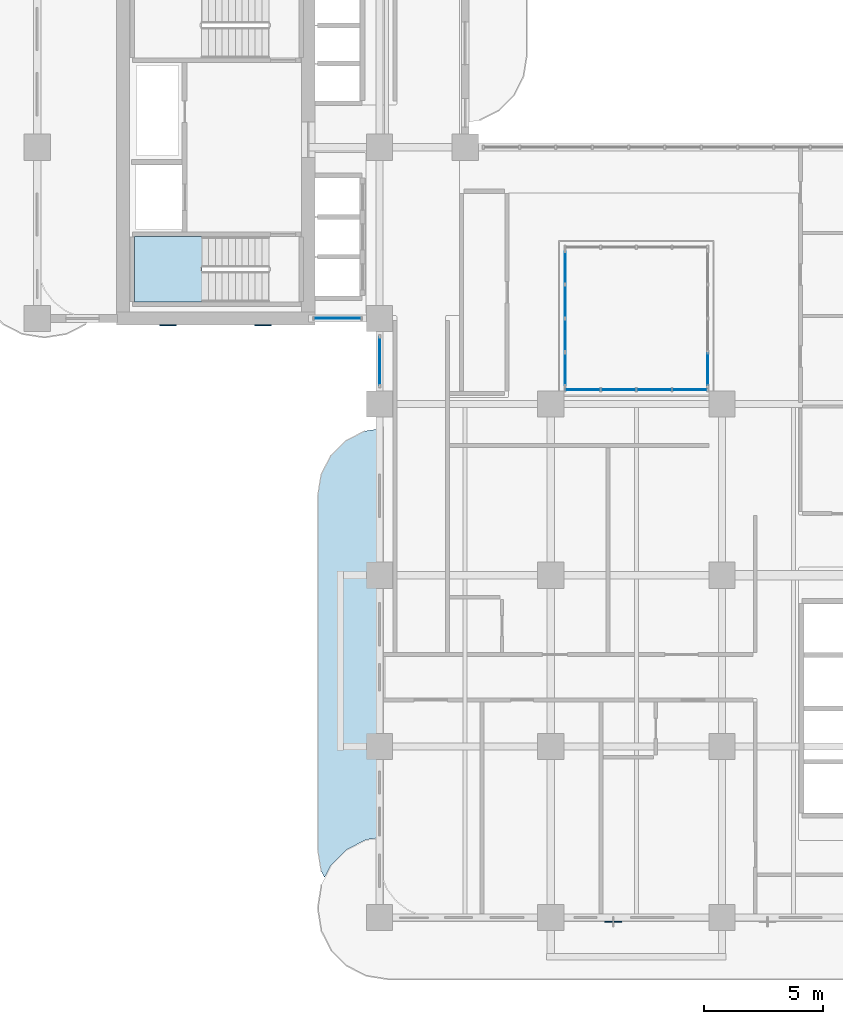
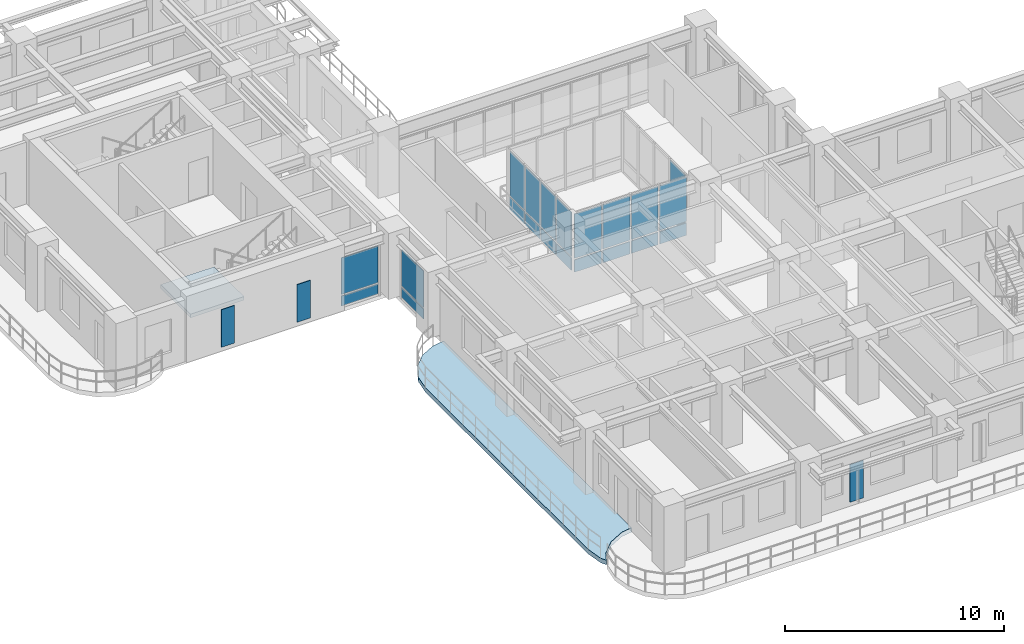
# One storey, part 8 of 22: 25 plates, 2 slabs, 6 elements without a shape of their own.
"""IFC4 building model written with IfcOpenShell, lengths in metres."""

import ifcopenshell
import ifcopenshell.guid

model = None  # the IFC model being written
_history = None  # IfcOwnerHistory: only IFC2X3 demands one
_inside = {}  # id of a spatial element -> (the spatial element, [elements in it])
_under = {}  # id of a project, library or spatial element -> (it, [spatial elements below it])
_declared = {}  # id of a project -> (the project, [libraries it declares])
_typed = {}  # id of a type object -> (the type object, [elements of that type])
_made_of = {}  # id of a material, layer set ... -> (it, [elements and type objects made of it])


def new_model(schema):
    """Start an empty IFC model of exactly this schema.

    Asked for "IFC4X3", IfcOpenShell would pick the latest addendum, in which some entities
    have other attributes; the version numbers below select the first issue.
    IFC2X3 requires an IfcOwnerHistory on every rooted entity: one is made here for all.
    """
    global model, _history
    if schema == "IFC4X3":
        model = ifcopenshell.file(schema_version=(4, 3, 0, 0))
    else:
        model = ifcopenshell.file(schema=schema)
    _inside.clear()
    _under.clear()
    _declared.clear()
    _typed.clear()
    _made_of.clear()
    _history = None
    if model.schema == "IFC2X3":
        org = make("IfcOrganization", Name="unknown")
        user = make(
            "IfcPersonAndOrganization",
            ThePerson=make("IfcPerson", FamilyName="unknown"),
            TheOrganization=org,
        )
        app = make(
            "IfcApplication",
            ApplicationDeveloper=org,
            Version="unknown",
            ApplicationFullName="unknown",
            ApplicationIdentifier="unknown",
        )
        _history = make(
            "IfcOwnerHistory",
            OwningUser=user,
            OwningApplication=app,
            ChangeAction="ADDED",
            CreationDate=0,
        )
    return model


def make(cls, **values):
    """One entity of the class cls with the attributes given. An attribute that is None is left unset."""
    return model.create_entity(
        cls, **{name: value for name, value in values.items() if value is not None}
    )


def rooted(cls, **values):
    """An entity with a GlobalId (a new one), such as an element, a storey or a relation."""
    return make(cls, GlobalId=ifcopenshell.guid.new(), OwnerHistory=_history, **values)


def si_unit(unit_type, name, prefix=None):
    """IfcSIUnit, for example si_unit("LENGTHUNIT", "METRE", prefix="MILLI")."""
    return make("IfcSIUnit", UnitType=unit_type, Prefix=prefix, Name=name)


def derived_unit(unit_type, elements):
    """IfcDerivedUnit: a product of units, each with its exponent."""
    return make(
        "IfcDerivedUnit",
        Elements=[
            make("IfcDerivedUnitElement", Unit=unit, Exponent=power)
            for unit, power in elements
        ],
        UnitType=unit_type,
    )


def assignment(units):
    """IfcUnitAssignment: the units of a project."""
    return None if units is None else make("IfcUnitAssignment", Units=units)


def point(xyz):
    """IfcCartesianPoint."""
    return None if xyz is None else make("IfcCartesianPoint", Coordinates=xyz)


def direction(xyz):
    """IfcDirection."""
    return None if xyz is None else make("IfcDirection", DirectionRatios=xyz)


def frame(location, z_axis=None, x_axis=None):
    """IfcAxis2Placement3D, a coordinate frame: its origin and axes. An axis left out is left unset."""
    return make(
        "IfcAxis2Placement3D",
        Location=point(location),
        Axis=direction(z_axis),
        RefDirection=direction(x_axis),
    )


def frame_2d(location, x_axis=None):
    """IfcAxis2Placement2D, a coordinate frame in the plane: its origin and x axis."""
    return make(
        "IfcAxis2Placement2D", Location=point(location), RefDirection=direction(x_axis)
    )


def origin():
    """The frame at (0, 0, 0) with its axes left unset."""
    return frame((0.0, 0.0, 0.0))


def origin_2d():
    """The frame at (0, 0) in the plane with its x axis left unset."""
    return frame_2d((0.0, 0.0))


def place(relative_to, where):
    """IfcLocalPlacement: puts the frame where relative to a parent placement (None: the world)."""
    return make(
        "IfcLocalPlacement", PlacementRelTo=relative_to, RelativePlacement=where
    )


def context(
    kind, dimensions, precision=None, world=None, true_north=None, identifier=None
):
    """IfcGeometricRepresentationContext, for example the 3D "Model" context."""
    return make(
        "IfcGeometricRepresentationContext",
        ContextIdentifier=identifier,
        ContextType=kind,
        CoordinateSpaceDimension=dimensions,
        Precision=precision,
        WorldCoordinateSystem=world,
        TrueNorth=true_north,
    )


def subcontext(parent, identifier, kind, view, scale=None):
    """IfcGeometricRepresentationSubContext, for example "Body" below "Model"."""
    return make(
        "IfcGeometricRepresentationSubContext",
        ContextIdentifier=identifier,
        ContextType=kind,
        ParentContext=parent,
        TargetScale=scale,
        TargetView=view,
    )


def project(units=None, contexts=None):
    """IfcProject with its units and contexts."""
    return rooted(
        "IfcProject",
        Name="project",
        RepresentationContexts=contexts,
        UnitsInContext=assignment(units),
    )


def spatial(cls, under=None, at=None, **own):
    """A site, building, storey or space (cls), placed at a placement, below another one or the project."""
    s = rooted(cls, ObjectPlacement=at, **own)
    if under is not None:
        _under.setdefault(under.id(), (under, []))[1].append(s)
    return s


def polyline(points):
    """IfcPolyline through the points."""
    return make("IfcPolyline", Points=[point(p) for p in points])


def profile(cls, at=None, kind="AREA", **sizes):
    """A parametric profile (cls). Its sizes go by their IFC names, for example OverallWidth=200.0."""
    return make(cls, ProfileType=kind, Position=at, **sizes)


def rectangle(**sizes):
    """IfcRectangleProfileDef."""
    return profile("IfcRectangleProfileDef", **sizes)


def outline(outer, holes=None, kind="AREA"):
    """IfcArbitraryClosedProfileDef: a profile drawn as a closed curve; with holes, ...WithVoids."""
    if holes is None:
        return make("IfcArbitraryClosedProfileDef", ProfileType=kind, OuterCurve=outer)
    return make(
        "IfcArbitraryProfileDefWithVoids",
        ProfileType=kind,
        OuterCurve=outer,
        InnerCurves=holes,
    )


def extrude(swept, where, along, depth):
    """IfcExtrudedAreaSolid: the profile swept, set in the frame where, extruded along a direction by depth."""
    return make(
        "IfcExtrudedAreaSolid",
        SweptArea=swept,
        Position=where,
        ExtrudedDirection=direction(along),
        Depth=depth,
    )


def shape(context_of_items, identifier, shape_type, items):
    """IfcShapeRepresentation: the items that make up one representation, for example the "Body"."""
    return make(
        "IfcShapeRepresentation",
        ContextOfItems=context_of_items,
        RepresentationIdentifier=identifier,
        RepresentationType=shape_type,
        Items=items,
    )


def source(mapping_origin, context_of_items, identifier, shape_type, items):
    """IfcRepresentationMap: a shape defined once, which mapped items show again and again."""
    return make(
        "IfcRepresentationMap",
        MappingOrigin=mapping_origin,
        MappedRepresentation=shape(context_of_items, identifier, shape_type, items),
    )


def transform(
    local_origin,
    x_axis=None,
    y_axis=None,
    z_axis=None,
    scale=None,
    scale2=None,
    scale3=None,
    uniform=True,
):
    """IfcCartesianTransformationOperator3D, or its non-uniform kind. x_axis, y_axis, z_axis: its Axis1, 2, 3."""
    if uniform:
        return make(
            "IfcCartesianTransformationOperator3D",
            Axis1=direction(x_axis),
            Axis2=direction(y_axis),
            LocalOrigin=point(local_origin),
            Scale=scale,
            Axis3=direction(z_axis),
        )
    return make(
        "IfcCartesianTransformationOperator3DnonUniform",
        Axis1=direction(x_axis),
        Axis2=direction(y_axis),
        LocalOrigin=point(local_origin),
        Scale=scale,
        Axis3=direction(z_axis),
        Scale2=scale2,
        Scale3=scale3,
    )


def mapped(mapping_source, mapping_target):
    """IfcMappedItem: shows the shape of a source again, moved by a transform."""
    return make(
        "IfcMappedItem", MappingSource=mapping_source, MappingTarget=mapping_target
    )


def material(Name=None, Category=None):
    """IfcMaterial."""
    return make("IfcMaterial", Name=Name, Category=Category)


def layer(
    of_material, thickness, ventilated=None, Name=None, Category=None, Priority=None
):
    """IfcMaterialLayer: one layer of a wall or slab, of a material (None: an air gap)."""
    return make(
        "IfcMaterialLayer",
        Material=of_material,
        LayerThickness=thickness,
        IsVentilated=ventilated,
        Name=Name,
        Category=Category,
        Priority=Priority,
    )


def layer_set(layers, Name=None):
    """IfcMaterialLayerSet."""
    return make("IfcMaterialLayerSet", MaterialLayers=layers, LayerSetName=Name)


def made_of(thing, what):
    """Note that an element or type object is made of a material, layer set ...; save() writes the relation."""
    if what is not None:
        _made_of.setdefault(what.id(), (what, []))[1].append(thing)
    return thing


def type_object(cls, material=None, **own):
    """A type object (cls), such as IfcWallType, which elements share."""
    return made_of(rooted(cls, **own), material)


def type_shapes(of_type, sources):
    """Give a type object the sources (RepresentationMaps) that its elements show as mapped items."""
    of_type.RepresentationMaps = sources


def element(
    cls,
    number,
    at=None,
    inside=None,
    cuts=None,
    type_object=None,
    material=None,
    context=None,
    identifier="Body",
    shape_type=None,
    held_by="IfcProductDefinitionShape",
    body=None,
    shapes=None,
    **own,
):
    """One element of the class cls, such as IfcWall. Its Tag is "e" and its number.

    at: its placement. inside: the storey or other place that contains it. cuts: it is an
    opening in that element (IfcRelVoidsElement). A single representation is given by context,
    identifier, shape_type and body (its items); several are given by shapes. held_by: the class
    of the entity that holds the representations. save() writes the other relations.
    """
    e = rooted(cls, Tag="e%d" % number, ObjectPlacement=at, **own)
    if body is not None:
        shapes = [shape(context, identifier, shape_type, body)]
    if shapes is not None:
        e.Representation = make(held_by, Representations=shapes)
    if inside is not None:
        _inside.setdefault(inside.id(), (inside, []))[1].append(e)
    if cuts is not None:
        rooted(
            "IfcRelVoidsElement", RelatingBuildingElement=cuts, RelatedOpeningElement=e
        )
    if type_object is not None:
        _typed.setdefault(type_object.id(), (type_object, []))[1].append(e)
    return made_of(e, material)


def aggregate(whole, parts):
    """IfcRelAggregates: a whole, such as a stair, and the parts it consists of."""
    return rooted("IfcRelAggregates", RelatingObject=whole, RelatedObjects=parts)


def save(model, path):
    """Write the relations noted so far, then the file.

    IfcRelAggregates (storeys below a building ...), IfcRelContainedInSpatialStructure (elements
    in a storey), IfcRelDefinesByType, IfcRelAssociatesMaterial and IfcRelDeclares: one each for
    every whole, place, type object, material and project.
    """
    for whole, parts in _under.values():
        aggregate(whole, parts)
    for where, things in _inside.values():
        rooted(
            "IfcRelContainedInSpatialStructure",
            RelatedElements=things,
            RelatingStructure=where,
        )
    for kind, things in _typed.values():
        rooted("IfcRelDefinesByType", RelatedObjects=things, RelatingType=kind)
    for what, things in _made_of.values():
        rooted("IfcRelAssociatesMaterial", RelatedObjects=things, RelatingMaterial=what)
    for by, libraries in _declared.values():
        rooted("IfcRelDeclares", RelatingContext=by, RelatedDefinitions=libraries)
    model.write(path)


model = new_model("IFC4")

# Units and contexts
model_context = context("Model", 3, precision=1e-05, world=origin(), true_north=direction((0.0, 1.0)))
body_context = subcontext(model_context, "Body", "Model", "MODEL_VIEW")
ifc_project = project(units=[si_unit("LENGTHUNIT", "METRE"), si_unit("AREAUNIT", "SQUARE_METRE"), si_unit("VOLUMEUNIT", "CUBIC_METRE"), si_unit("PLANEANGLEUNIT", "RADIAN"), si_unit("MASSUNIT", "GRAM", prefix="KILO"), si_unit("THERMODYNAMICTEMPERATUREUNIT", "KELVIN"), si_unit("POWERUNIT", "WATT"), derived_unit("THERMALTRANSMITTANCEUNIT", [(si_unit("POWERUNIT", "WATT"), 1), (si_unit("AREAUNIT", "SQUARE_METRE"), -1), (si_unit("THERMODYNAMICTEMPERATUREUNIT", "KELVIN"), -1)])], contexts=[model_context])

# Site, building, storey
site_placement = place(None, origin())
site = spatial("IfcSite", under=ifc_project, at=site_placement, CompositionType="ELEMENT")
building_placement = place(site_placement, origin())
building = spatial("IfcBuilding", under=site, at=building_placement, Name="Zahravan Archway Hotel and Residences", CompositionType="ELEMENT")
storey_placement = place(building_placement, frame((0.0, 0.0, 99.0)))
storey = spatial("IfcBuildingStorey", under=building, at=storey_placement, Name="L24", CompositionType="ELEMENT", Elevation=99.0)

# Slab
ifc_material_1 = material(Name="Concrete C45/55", Category="concrete")
ifc_layer_1 = layer(ifc_material_1, 0.25, Name="Concrete C45/55", Category="concrete")
ifc_layer_set_1 = layer_set([ifc_layer_1], Name="Concrete C45/55")
slab_type_1 = type_object("IfcSlabType", Name="SLB-BALC-250", PredefinedType="FLOOR", material=ifc_layer_set_1)
slab_1_placement = place(storey_placement, frame((0.0, 0.0, -0.25)))
element("IfcSlab", 1, at=slab_1_placement, inside=storey, type_object=slab_type_1, Name="L24 Wing A West Rounded Balcony Band", PredefinedType="FLOOR", context=body_context, shape_type="SweptSolid", body=[
    extrude(outline(polyline([(11.939453125, 1.96923828125), (11.800048828125, 2.85009765625), (11.800048828125, 17.75), (11.939453125, 18.630615234375), (12.34423828125, 19.42529296875), (12.974853515625, 20.0556640625), (13.769287109375, 20.46044921875), (14.3798828125, 20.55712890625), (14.3798828125, 3.361328125), (14.37890625, 3.361328125), (14.376953125, 3.361083984375), (13.835205078125, 3.275390625), (13.833251953125, 3.27490234375), (13.831298828125, 3.2744140625), (13.829345703125, 3.2734375), (13.0068359375, 2.8544921875), (13.005126953125, 2.853515625), (13.00341796875, 2.85205078125), (13.001953125, 2.8505859375), (12.349365234375, 2.197998046875), (12.347900390625, 2.196533203125), (12.3466796875, 2.19482421875), (12.345703125, 2.193115234375), (12.08544921875, 1.6826171875), (11.939453125, 1.96923828125)])), origin(), (0.0, 0.0, 1.0), 0.25),
])

# Stair, slab
ifc_material_2 = material(Name="Concrete C50/60", Category="concrete")
stair_type = type_object("IfcStairType", Name="STR-CORE-1300", PredefinedType="HALF_TURN_STAIR", material=ifc_material_2)
stair_placement = place(storey_placement, origin())
stair = element("IfcStair", 2, at=stair_placement, inside=storey, type_object=stair_type, Name="L24 Core B Exit Stair 1", PredefinedType="HALF_TURN_STAIR")
ifc_layer_2 = layer(ifc_material_2, 0.199951171875, Name="Concrete C50/60", Category="concrete")
ifc_layer_set_2 = layer_set([ifc_layer_2], Name="Concrete C50/60")
slab_type_2 = type_object("IfcSlabType", Name="SLB-LND-200", PredefinedType="LANDING", material=ifc_layer_set_2)
slab_2_placement = place(storey_placement, frame((0.0, 0.0, 1.64990234375)))
slab_2 = element("IfcSlab", 3, at=slab_2_placement, type_object=slab_type_2, Name="ST-B1 landing 1", PredefinedType="LANDING", context=body_context, shape_type="SweptSolid", body=[
    extrude(outline(polyline([(6.929931640625, 28.639892578125), (4.10009765625, 28.639892578125), (4.10009765625, 25.89990234375), (6.929931640625, 25.89990234375), (6.929931640625, 28.639892578125)])), origin(), (0.0, 0.0, 1.0), 0.2001953125),
])
aggregate(stair, [slab_2])

# Plates
ifc_material_3 = material(Name="Perforated Cast Bronze Jali Lattice")
ifc_layer_3 = layer(ifc_material_3, 0.044921875, Name="Perforated Cast Bronze Jali Lattice")
ifc_layer_set_3 = layer_set([ifc_layer_3], Name="Perforated Cast Bronze Jali Lattice")
plate_type_1 = type_object("IfcPlateType", Name="PLT-JALI-BAY", PredefinedType="USERDEFINED", material=ifc_layer_set_3)
shared_shape_1 = source(origin(), body_context, "Body", "SweptSolid", [
    extrude(rectangle(XDim=0.699951171875, YDim=0.044921875, at=origin_2d()), origin(), (0.0, 0.0, 1.0), 2.10009765625),
])
type_shapes(plate_type_1, [shared_shape_1])
for number, where, z_axis, x_axis, name in (
    (4, (5.5, 24.906982421875, 0.25), (0.0, 0.0, 1.0), (1.0, 0.0, 0.0), "L24 Core B South Mughal Jali Screen 1"),
    (5, (9.5, 24.906982421875, 0.25), (0.0, 0.0, 1.0), (1.0, 0.0, 0.0), "L24 Core B South Mughal Jali Screen 2"),
    (6, (24.22802734375, -0.177978515625, 0.25), (0.0, 0.0, 1.0), (1.0, 0.0, 0.0), "L24 Perforated Bronze Jali Pier Screen 01"),
):
    element("IfcPlate", number, at=place(storey_placement, frame(where, z_axis=z_axis, x_axis=x_axis)), inside=storey, type_object=plate_type_1, Name=name, ObjectType="SCREEN", PredefinedType="USERDEFINED", context=body_context, shape_type="MappedRepresentation", body=[
        mapped(shared_shape_1, transform((0.0, 0.0, 0.0), scale=1.0)),
    ])

# Curtain wall, plates
ifc_material_4 = material(Name="Bronze-Anodized Unitised Aluminium & Low-E Glass", Category="aluminium")
ifc_layer_4 = layer(ifc_material_4, 0.179931640625, Name="Bronze-Anodized Unitised Aluminium & Low-E Glass", Category="aluminium")
ifc_layer_set_4 = layer_set([ifc_layer_4], Name="Bronze-Anodized Unitised Aluminium & Low-E Glass")
curtain_wall_type_1 = type_object("IfcCurtainWallType", Name="CW-TWR-FEAT", PredefinedType="NOTDEFINED", material=ifc_layer_set_4)
curtain_wall_1_placement = place(storey_placement, origin())
curtain_wall_1 = element("IfcCurtainWall", 7, at=curtain_wall_1_placement, inside=storey, type_object=curtain_wall_type_1, Name="L24 Curtain Wall CW-L24-WB-SE-1", PredefinedType="NOTDEFINED")
ifc_material_5 = material(Name="Insulated Terracotta Spandrel Panel", Category="masonry")
ifc_layer_5 = layer(ifc_material_5, 0.0400390625, Name="Insulated Terracotta Spandrel Panel", Category="masonry")
ifc_layer_set_5 = layer_set([ifc_layer_5], Name="Insulated Terracotta Spandrel Panel")
plate_type_2 = type_object("IfcPlateType", Name="CWP-SPN-40", PredefinedType="SHEET", material=ifc_layer_set_5)
shared_shape_2 = source(origin(), body_context, "Body", "SweptSolid", [
    extrude(rectangle(XDim=1.93994140625, YDim=0.0400390625, at=origin_2d()), origin(), (0.0, 0.0, 1.0), 0.552490234375),
])
plate_1_placement = place(storey_placement, frame((12.6298828125, 25.199951171875, 0.10009765625), z_axis=(0.0, 0.0, 1.0), x_axis=(1.0, 0.0, 0.0)))
plate_1 = element("IfcPlate", 8, at=plate_1_placement, type_object=plate_type_2, Name="CW-L24-WB-SE-1 Spandrel Panel 0", PredefinedType="SHEET", context=body_context, shape_type="MappedRepresentation", body=[
    mapped(shared_shape_2, transform((0.0, 0.0, 0.0), scale=1.0)),
])
ifc_material_6 = material(Name="Double-Silver Low-E Insulated Vision Glass", Category="glass")
ifc_layer_6 = layer(ifc_material_6, 0.028076171875, Name="Double-Silver Low-E Insulated Vision Glass", Category="glass")
ifc_layer_set_6 = layer_set([ifc_layer_6], Name="Double-Silver Low-E Insulated Vision Glass")
plate_type_3 = type_object("IfcPlateType", Name="CWP-GLZ-28", PredefinedType="CURTAIN_PANEL", material=ifc_layer_set_6)
shared_shape_3 = source(origin(), body_context, "Body", "SweptSolid", [
    extrude(rectangle(XDim=1.93994140625, YDim=0.028076171875, at=origin_2d()), origin(), (0.0, 0.0, 1.0), 2.052490234375),
])
plate_2_placement = place(storey_placement, frame((12.6298828125, 25.199951171875, 0.732421875), z_axis=(0.0, 0.0, 1.0), x_axis=(1.0, 0.0, 0.0)))
plate_2 = element("IfcPlate", 9, at=plate_2_placement, type_object=plate_type_3, Name="CW-L24-WB-SE-1 Low-E Vision Panel 0", PredefinedType="CURTAIN_PANEL", context=body_context, shape_type="MappedRepresentation", body=[
    mapped(shared_shape_3, transform((0.0, 0.0, 0.0), scale=1.0)),
])
aggregate(curtain_wall_1, [plate_1, plate_2])

curtain_wall_2_placement = place(storey_placement, origin())
curtain_wall_2 = element("IfcCurtainWall", 10, at=curtain_wall_2_placement, inside=storey, type_object=curtain_wall_type_1, Name="L24 Curtain Wall CW-L24-WA-WLU-1", PredefinedType="NOTDEFINED")
shared_shape_4 = source(origin(), body_context, "Body", "SweptSolid", [
    extrude(rectangle(XDim=2.0, YDim=0.0400390625, at=origin_2d()), origin(), (0.0, 0.0, 1.0), 0.552490234375),
])
plate_3_placement = place(storey_placement, frame((14.39990234375, 23.39990234375, 0.10009765625), z_axis=(0.0, 0.0, 1.0), x_axis=(0.0, 1.0, 0.0)))
plate_3 = element("IfcPlate", 11, at=plate_3_placement, type_object=plate_type_2, Name="CW-L24-WA-WLU-1 Spandrel Panel 0", PredefinedType="SHEET", context=body_context, shape_type="MappedRepresentation", body=[
    mapped(shared_shape_4, transform((0.0, 0.0, 0.0), scale=1.0)),
])
shared_shape_5 = source(origin(), body_context, "Body", "SweptSolid", [
    extrude(rectangle(XDim=2.0, YDim=0.028076171875, at=origin_2d()), origin(), (0.0, 0.0, 1.0), 2.052490234375),
])
plate_4_placement = place(storey_placement, frame((14.39990234375, 23.39990234375, 0.732421875), z_axis=(0.0, 0.0, 1.0), x_axis=(0.0, 1.0, 0.0)))
plate_4 = element("IfcPlate", 12, at=plate_4_placement, type_object=plate_type_3, Name="CW-L24-WA-WLU-1 Low-E Vision Panel 0", PredefinedType="CURTAIN_PANEL", context=body_context, shape_type="MappedRepresentation", body=[
    mapped(shared_shape_5, transform((0.0, 0.0, 0.0), scale=1.0)),
])
aggregate(curtain_wall_2, [plate_3, plate_4])

ifc_layer_7 = layer(ifc_material_4, 0.179931640625, Name="Bronze-Anodized Unitised Aluminium & Low-E Glass", Category="aluminium")
ifc_layer_set_7 = layer_set([ifc_layer_7], Name="Bronze-Anodized Unitised Aluminium & Low-E Glass")
curtain_wall_type_2 = type_object("IfcCurtainWallType", Name="CW-ATR-GLAZ", PredefinedType="NOTDEFINED", material=ifc_layer_set_7)
curtain_wall_3_placement = place(storey_placement, origin())
curtain_wall_3 = element("IfcCurtainWall", 13, at=curtain_wall_3_placement, inside=storey, type_object=curtain_wall_type_2, Name="L24 Curtain Wall CW-ATR-L24-S-1", PredefinedType="NOTDEFINED")
shared_shape_6 = source(origin(), body_context, "Body", "SweptSolid", [
    extrude(rectangle(XDim=1.419921875, YDim=0.0400390625, at=origin_2d()), origin(), (0.0, 0.0, 1.0), 0.68798828125),
])
plate_5_placement = place(storey_placement, frame((22.949951171875, 22.199951171875, 0.10009765625), z_axis=(0.0, 0.0, 1.0), x_axis=(1.0, 0.0, 0.0)))
plate_5 = element("IfcPlate", 14, at=plate_5_placement, type_object=plate_type_2, Name="CW-ATR-L24-S-1 Spandrel Panel 0", PredefinedType="SHEET", context=body_context, shape_type="MappedRepresentation", body=[
    mapped(shared_shape_6, transform((0.0, 0.0, 0.0), scale=1.0)),
])
plate_6_placement = place(storey_placement, frame((24.449951171875, 22.199951171875, 0.10009765625), z_axis=(0.0, 0.0, 1.0), x_axis=(1.0, 0.0, 0.0)))
plate_6 = element("IfcPlate", 15, at=plate_6_placement, type_object=plate_type_2, Name="CW-ATR-L24-S-1 Spandrel Panel 1", PredefinedType="SHEET", context=body_context, shape_type="MappedRepresentation", body=[
    mapped(shared_shape_6, transform((0.0, 0.0, 0.0), scale=1.0)),
])
plate_7_placement = place(storey_placement, frame((25.949951171875, 22.199951171875, 0.10009765625), z_axis=(0.0, 0.0, 1.0), x_axis=(1.0, 0.0, 0.0)))
plate_7 = element("IfcPlate", 16, at=plate_7_placement, type_object=plate_type_2, Name="CW-ATR-L24-S-1 Spandrel Panel 2", PredefinedType="SHEET", context=body_context, shape_type="MappedRepresentation", body=[
    mapped(shared_shape_6, transform((0.0, 0.0, 0.0), scale=1.0)),
])
plate_8_placement = place(storey_placement, frame((27.449951171875, 22.199951171875, 0.10009765625), z_axis=(0.0, 0.0, 1.0), x_axis=(1.0, 0.0, 0.0)))
plate_8 = element("IfcPlate", 17, at=plate_8_placement, type_object=plate_type_2, Name="CW-ATR-L24-S-1 Spandrel Panel 3", PredefinedType="SHEET", context=body_context, shape_type="MappedRepresentation", body=[
    mapped(shared_shape_6, transform((0.0, 0.0, 0.0), scale=1.0)),
])
shared_shape_7 = source(origin(), body_context, "Body", "SweptSolid", [
    extrude(rectangle(XDim=1.419921875, YDim=0.028076171875, at=origin_2d()), origin(), (0.0, 0.0, 1.0), 2.48193359375),
])
plate_9_placement = place(storey_placement, frame((22.949951171875, 22.199951171875, 0.867919921875), z_axis=(0.0, 0.0, 1.0), x_axis=(1.0, 0.0, 0.0)))
plate_9 = element("IfcPlate", 18, at=plate_9_placement, type_object=plate_type_3, Name="CW-ATR-L24-S-1 Low-E Vision Panel 0", PredefinedType="CURTAIN_PANEL", context=body_context, shape_type="MappedRepresentation", body=[
    mapped(shared_shape_7, transform((0.0, 0.0, 0.0), scale=1.0)),
])
plate_10_placement = place(storey_placement, frame((24.449951171875, 22.199951171875, 0.867919921875), z_axis=(0.0, 0.0, 1.0), x_axis=(1.0, 0.0, 0.0)))
plate_10 = element("IfcPlate", 19, at=plate_10_placement, type_object=plate_type_3, Name="CW-ATR-L24-S-1 Low-E Vision Panel 1", PredefinedType="CURTAIN_PANEL", context=body_context, shape_type="MappedRepresentation", body=[
    mapped(shared_shape_7, transform((0.0, 0.0, 0.0), scale=1.0)),
])
plate_11_placement = place(storey_placement, frame((25.949951171875, 22.199951171875, 0.867919921875), z_axis=(0.0, 0.0, 1.0), x_axis=(1.0, 0.0, 0.0)))
plate_11 = element("IfcPlate", 20, at=plate_11_placement, type_object=plate_type_3, Name="CW-ATR-L24-S-1 Low-E Vision Panel 2", PredefinedType="CURTAIN_PANEL", context=body_context, shape_type="MappedRepresentation", body=[
    mapped(shared_shape_7, transform((0.0, 0.0, 0.0), scale=1.0)),
])
plate_12_placement = place(storey_placement, frame((27.449951171875, 22.199951171875, 0.867919921875), z_axis=(0.0, 0.0, 1.0), x_axis=(1.0, 0.0, 0.0)))
plate_12 = element("IfcPlate", 21, at=plate_12_placement, type_object=plate_type_3, Name="CW-ATR-L24-S-1 Low-E Vision Panel 3", PredefinedType="CURTAIN_PANEL", context=body_context, shape_type="MappedRepresentation", body=[
    mapped(shared_shape_7, transform((0.0, 0.0, 0.0), scale=1.0)),
])
aggregate(curtain_wall_3, [plate_5, plate_9, plate_6, plate_10, plate_7, plate_11, plate_8, plate_12])

curtain_wall_4_placement = place(storey_placement, origin())
curtain_wall_4 = element("IfcCurtainWall", 22, at=curtain_wall_4_placement, inside=storey, type_object=curtain_wall_type_2, Name="L24 Curtain Wall CW-ATR-L24-W-1", PredefinedType="NOTDEFINED")
shared_shape_8 = source(origin(), body_context, "Body", "SweptSolid", [
    extrude(rectangle(XDim=1.344970703125, YDim=0.0400390625, at=origin_2d()), origin(), (0.0, 0.0, 1.0), 0.68798828125),
])
plate_13_placement = place(storey_placement, frame((22.199951171875, 23.0625, 0.10009765625), z_axis=(0.0, 0.0, 1.0), x_axis=(0.0, 1.0, 0.0)))
plate_13 = element("IfcPlate", 23, at=plate_13_placement, type_object=plate_type_2, Name="CW-ATR-L24-W-1 Spandrel Panel 0", PredefinedType="SHEET", context=body_context, shape_type="MappedRepresentation", body=[
    mapped(shared_shape_8, transform((0.0, 0.0, 0.0), scale=1.0)),
])
plate_14_placement = place(storey_placement, frame((22.199951171875, 24.487548828125, 0.10009765625), z_axis=(0.0, 0.0, 1.0), x_axis=(0.0, 1.0, 0.0)))
plate_14 = element("IfcPlate", 24, at=plate_14_placement, type_object=plate_type_2, Name="CW-ATR-L24-W-1 Spandrel Panel 1", PredefinedType="SHEET", context=body_context, shape_type="MappedRepresentation", body=[
    mapped(shared_shape_8, transform((0.0, 0.0, 0.0), scale=1.0)),
])
plate_15_placement = place(storey_placement, frame((22.199951171875, 25.91259765625, 0.10009765625), z_axis=(0.0, 0.0, 1.0), x_axis=(0.0, 1.0, 0.0)))
plate_15 = element("IfcPlate", 25, at=plate_15_placement, type_object=plate_type_2, Name="CW-ATR-L24-W-1 Spandrel Panel 2", PredefinedType="SHEET", context=body_context, shape_type="MappedRepresentation", body=[
    mapped(shared_shape_8, transform((0.0, 0.0, 0.0), scale=1.0)),
])
plate_16_placement = place(storey_placement, frame((22.199951171875, 27.33740234375, 0.10009765625), z_axis=(0.0, 0.0, 1.0), x_axis=(0.0, 1.0, 0.0)))
plate_16 = element("IfcPlate", 26, at=plate_16_placement, type_object=plate_type_2, Name="CW-ATR-L24-W-1 Spandrel Panel 3", PredefinedType="SHEET", context=body_context, shape_type="MappedRepresentation", body=[
    mapped(shared_shape_8, transform((0.0, 0.0, 0.0), scale=1.0)),
])

# Curtain wall, plate
curtain_wall_5_placement = place(storey_placement, origin())
curtain_wall_5 = element("IfcCurtainWall", 27, at=curtain_wall_5_placement, inside=storey, type_object=curtain_wall_type_2, Name="L24 Curtain Wall CW-ATR-L24-E-1", PredefinedType="NOTDEFINED")
plate_17_placement = place(storey_placement, frame((28.199951171875, 23.0625, 0.10009765625), z_axis=(0.0, 0.0, 1.0), x_axis=(0.0, 1.0, 0.0)))
plate_17 = element("IfcPlate", 28, at=plate_17_placement, type_object=plate_type_2, Name="CW-ATR-L24-E-1 Spandrel Panel 0", PredefinedType="SHEET", context=body_context, shape_type="MappedRepresentation", body=[
    mapped(shared_shape_8, transform((0.0, 0.0, 0.0), scale=1.0)),
])

# Plate
shared_shape_9 = source(origin(), body_context, "Body", "SweptSolid", [
    extrude(rectangle(XDim=1.344970703125, YDim=0.028076171875, at=origin_2d()), origin(), (0.0, 0.0, 1.0), 2.48193359375),
])
plate_18_placement = place(storey_placement, frame((22.199951171875, 23.0625, 0.867919921875), z_axis=(0.0, 0.0, 1.0), x_axis=(0.0, 1.0, 0.0)))
plate_18 = element("IfcPlate", 29, at=plate_18_placement, type_object=plate_type_3, Name="CW-ATR-L24-W-1 Low-E Vision Panel 0", PredefinedType="CURTAIN_PANEL", context=body_context, shape_type="MappedRepresentation", body=[
    mapped(shared_shape_9, transform((0.0, 0.0, 0.0), scale=1.0)),
])

plate_19_placement = place(storey_placement, frame((22.199951171875, 24.487548828125, 0.867919921875), z_axis=(0.0, 0.0, 1.0), x_axis=(0.0, 1.0, 0.0)))
plate_19 = element("IfcPlate", 30, at=plate_19_placement, type_object=plate_type_3, Name="CW-ATR-L24-W-1 Low-E Vision Panel 1", PredefinedType="CURTAIN_PANEL", context=body_context, shape_type="MappedRepresentation", body=[
    mapped(shared_shape_9, transform((0.0, 0.0, 0.0), scale=1.0)),
])

plate_20_placement = place(storey_placement, frame((22.199951171875, 25.91259765625, 0.867919921875), z_axis=(0.0, 0.0, 1.0), x_axis=(0.0, 1.0, 0.0)))
plate_20 = element("IfcPlate", 31, at=plate_20_placement, type_object=plate_type_3, Name="CW-ATR-L24-W-1 Low-E Vision Panel 2", PredefinedType="CURTAIN_PANEL", context=body_context, shape_type="MappedRepresentation", body=[
    mapped(shared_shape_9, transform((0.0, 0.0, 0.0), scale=1.0)),
])

plate_21_placement = place(storey_placement, frame((22.199951171875, 27.33740234375, 0.867919921875), z_axis=(0.0, 0.0, 1.0), x_axis=(0.0, 1.0, 0.0)))
plate_21 = element("IfcPlate", 32, at=plate_21_placement, type_object=plate_type_3, Name="CW-ATR-L24-W-1 Low-E Vision Panel 3", PredefinedType="CURTAIN_PANEL", context=body_context, shape_type="MappedRepresentation", body=[
    mapped(shared_shape_9, transform((0.0, 0.0, 0.0), scale=1.0)),
])

aggregate(curtain_wall_4, [plate_13, plate_18, plate_14, plate_19, plate_15, plate_20, plate_16, plate_21])

plate_22_placement = place(storey_placement, frame((28.199951171875, 23.0625, 0.867919921875), z_axis=(0.0, 0.0, 1.0), x_axis=(0.0, 1.0, 0.0)))
plate_22 = element("IfcPlate", 33, at=plate_22_placement, type_object=plate_type_3, Name="CW-ATR-L24-E-1 Low-E Vision Panel 0", PredefinedType="CURTAIN_PANEL", context=body_context, shape_type="MappedRepresentation", body=[
    mapped(shared_shape_9, transform((0.0, 0.0, 0.0), scale=1.0)),
])

aggregate(curtain_wall_5, [plate_17, plate_22])

save(model, "model.ifc")
